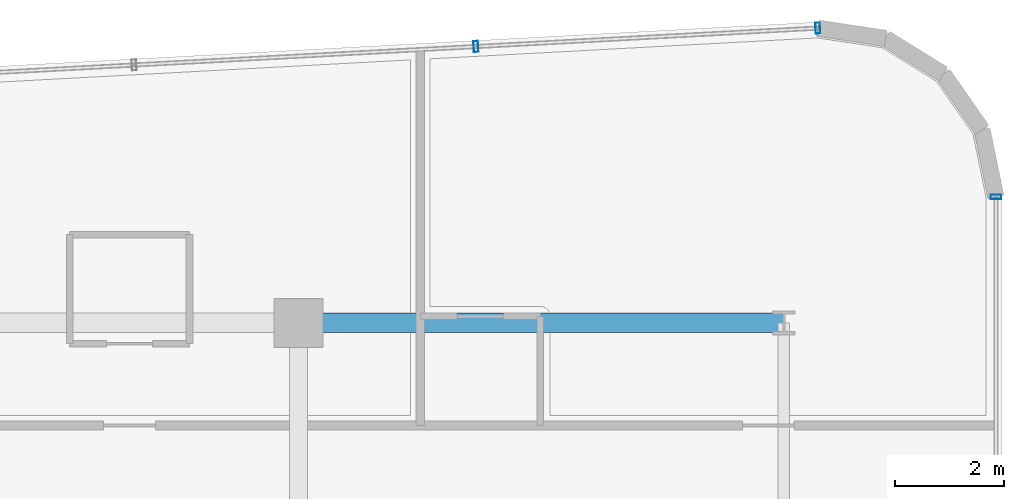
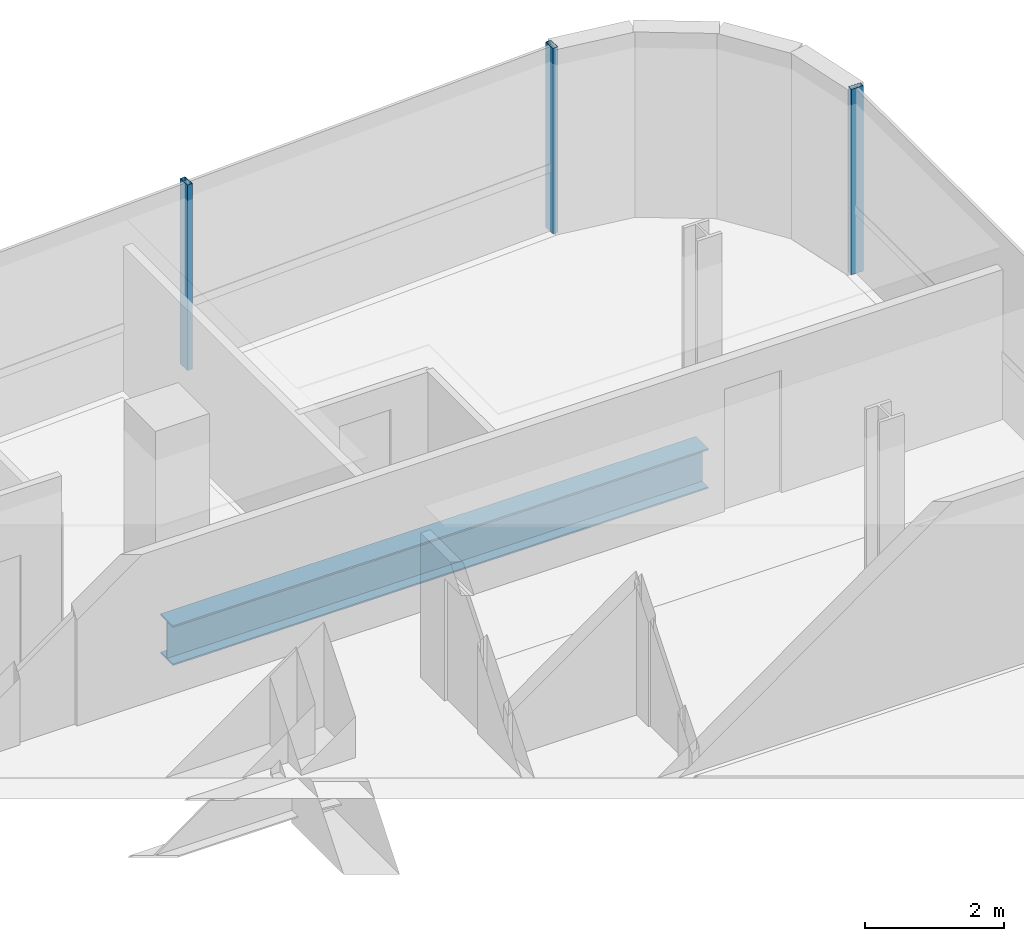
# One storey, part 14 of 22: 3 members, 1 beam, 2 elements without a shape of their own.
"""IFC4 building model written with IfcOpenShell, lengths in metres."""

from ifc_helpers import new_model, si_unit, direction, frame, origin, origin_2d, place, context, subcontext, project, spatial, hollow_rectangle, i_section, extrude, source, transform, mapped, material, material_profile, profile_set, type_object, element, aggregate, save


model = new_model("IFC4")

# Units and contexts
model_context = context("Model", 3, precision=1e-05, world=origin(), true_north=direction((0.0, 1.0)))
body_context = subcontext(model_context, "Body", "Model", "MODEL_VIEW")
ifc_project = project(units=[si_unit("LENGTHUNIT", "METRE"), si_unit("AREAUNIT", "SQUARE_METRE"), si_unit("VOLUMEUNIT", "CUBIC_METRE"), si_unit("PLANEANGLEUNIT", "RADIAN"), si_unit("MASSUNIT", "GRAM", prefix="KILO")], contexts=[model_context])

# Site, building, storey
site_placement = place(None, origin())
site = spatial("IfcSite", under=ifc_project, at=site_placement, CompositionType="ELEMENT")
building_placement = place(site_placement, origin())
building = spatial("IfcBuilding", under=site, at=building_placement, Name="Valdorenza Pilgrim Sanctuary Tower", CompositionType="ELEMENT")
storey_placement = place(building_placement, frame((0.0, 0.0, 216.0)))
storey = spatial("IfcBuildingStorey", under=building, at=storey_placement, Name="L55", CompositionType="ELEMENT", Elevation=216.0)

# Beam
ifc_material_1 = material(Name="Steel ASTM A992 Grade 50", Category="steel")
ifc_material_profile_1 = material_profile(ifc_material_1, i_section(OverallWidth=0.35595703125, OverallDepth=0.700927734375, WebThickness=0.016845703125, FlangeThickness=0.02734375, at=origin_2d()), Name="W27X161")
ifc_profile_set_1 = profile_set([ifc_material_profile_1], Name="Steel ASTM A992 Grade 50")
beam_type = type_object("IfcBeamType", Name="STR-BM-GRD-W27", PredefinedType="BEAM", material=ifc_profile_set_1)
shared_shape_1 = source(origin(), body_context, "Body", "SweptSolid", [
    extrude(i_section(OverallWidth=0.35595703125, OverallDepth=0.700927734375, WebThickness=0.016845703125, FlangeThickness=0.02734375, at=origin_2d()), origin(), (0.0, 0.0, 1.0), 8.89990234375),
])
beam_placement = place(storey_placement, frame((-12.39990234375, 14.800048828125, -0.590576171875), z_axis=(1.0, 0.0, 0.0), x_axis=(0.0, 1.0, 0.0)))
element("IfcBeam", 1, at=beam_placement, inside=storey, type_object=beam_type, Name="L55 Floor Girder UWA-KG2", PredefinedType="BEAM", context=body_context, shape_type="MappedRepresentation", body=[
    mapped(shared_shape_1, transform((0.0, 0.0, 0.0), x_axis=(1.0, 0.0, 0.0), y_axis=(0.0, 1.0, 0.0), z_axis=(0.0, 0.0, 1.0), scale=1.0)),
])

# Curtain wall, members
ifc_material_2 = material(Name="Curtain-wall IGU glazing", Category="glass")
curtain_wall_type = type_object("IfcCurtainWallType", Name="CW-SYS-02", PredefinedType="NOTDEFINED", material=ifc_material_2)
curtain_wall_1_placement = place(storey_placement, origin())
curtain_wall_1 = element("IfcCurtainWall", 2, at=curtain_wall_1_placement, inside=storey, type_object=curtain_wall_type, Name="L55 Curtain Wall CW-L55-1-6", PredefinedType="NOTDEFINED")
ifc_material_3 = material(Name="Anodised aluminium AW-6060", Category="aluminium")
ifc_material_profile_2 = material_profile(ifc_material_3, hollow_rectangle(XDim=0.0849609375, YDim=0.199951171875, WallThickness=0.0048828125, at=origin_2d()), Name="ALU-M 200x85x5")
ifc_profile_set_2 = profile_set([ifc_material_profile_2], Name="Anodised aluminium AW-6060")
member_type = type_object("IfcMemberType", Name="CW-MUL-02", PredefinedType="MULLION", material=ifc_profile_set_2)
shared_shape_2 = source(origin(), body_context, "Body", "SweptSolid", [
    extrude(hollow_rectangle(XDim=0.0849609375, YDim=0.199951171875, WallThickness=0.0048828125, at=origin_2d()), origin(), (0.0, 0.0, 1.0), 3.260009765625),
])
member_1_placement = place(storey_placement, frame((-9.147216796875, 19.869140625, 0.0), z_axis=(0.0, 0.0, 1.0), x_axis=(0.998547034311, 0.053887106711, 0.0)))
member_1 = element("IfcMember", 3, at=member_1_placement, type_object=member_type, Name="CW-L55-1-6 Mullion 4", PredefinedType="MULLION", context=body_context, shape_type="MappedRepresentation", body=[
    mapped(shared_shape_2, transform((0.0, 0.0, 0.0), x_axis=(1.0, 0.0, 0.0), y_axis=(0.0, 1.0, 0.0), z_axis=(0.0, 0.0, 1.0), scale=1.0)),
])
member_2_placement = place(storey_placement, frame((-2.877685546875, 20.20751953125, 0.0), z_axis=(0.0, 0.0, 1.0), x_axis=(0.998547034311, 0.053887106711, 0.0)))
member_2 = element("IfcMember", 4, at=member_2_placement, type_object=member_type, Name="CW-L55-1-6 Mullion 5", PredefinedType="MULLION", context=body_context, shape_type="MappedRepresentation", body=[
    mapped(shared_shape_2, transform((0.0, 0.0, 0.0), x_axis=(1.0, 0.0, 0.0), y_axis=(0.0, 1.0, 0.0), z_axis=(0.0, 0.0, 1.0), scale=1.0)),
])
aggregate(curtain_wall_1, [member_1, member_2])

# Curtain wall, member
curtain_wall_2_placement = place(storey_placement, origin())
curtain_wall_2 = element("IfcCurtainWall", 5, at=curtain_wall_2_placement, inside=storey, type_object=curtain_wall_type, Name="L55 Curtain Wall CW-L55-1-11", PredefinedType="NOTDEFINED")
member_3_placement = place(storey_placement, frame((0.389892578125, 17.111328125, 0.0), z_axis=(0.0, 0.0, 1.0), x_axis=(0.0, -1.0, 0.0)))
member_3 = element("IfcMember", 6, at=member_3_placement, type_object=member_type, Name="CW-L55-1-11 Mullion 1", PredefinedType="MULLION", context=body_context, shape_type="MappedRepresentation", body=[
    mapped(shared_shape_2, transform((0.0, 0.0, 0.0), x_axis=(1.0, 0.0, 0.0), y_axis=(0.0, 1.0, 0.0), z_axis=(0.0, 0.0, 1.0), scale=1.0)),
])
aggregate(curtain_wall_2, [member_3])

save(model, "model.ifc")
